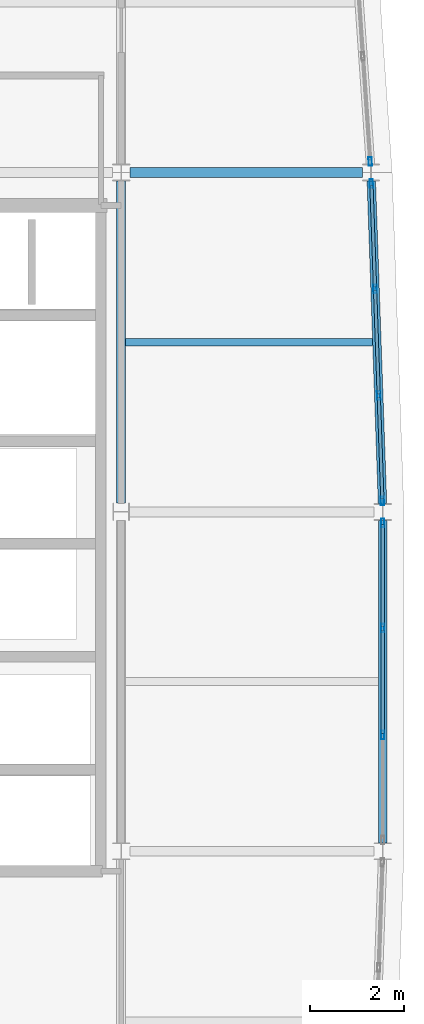
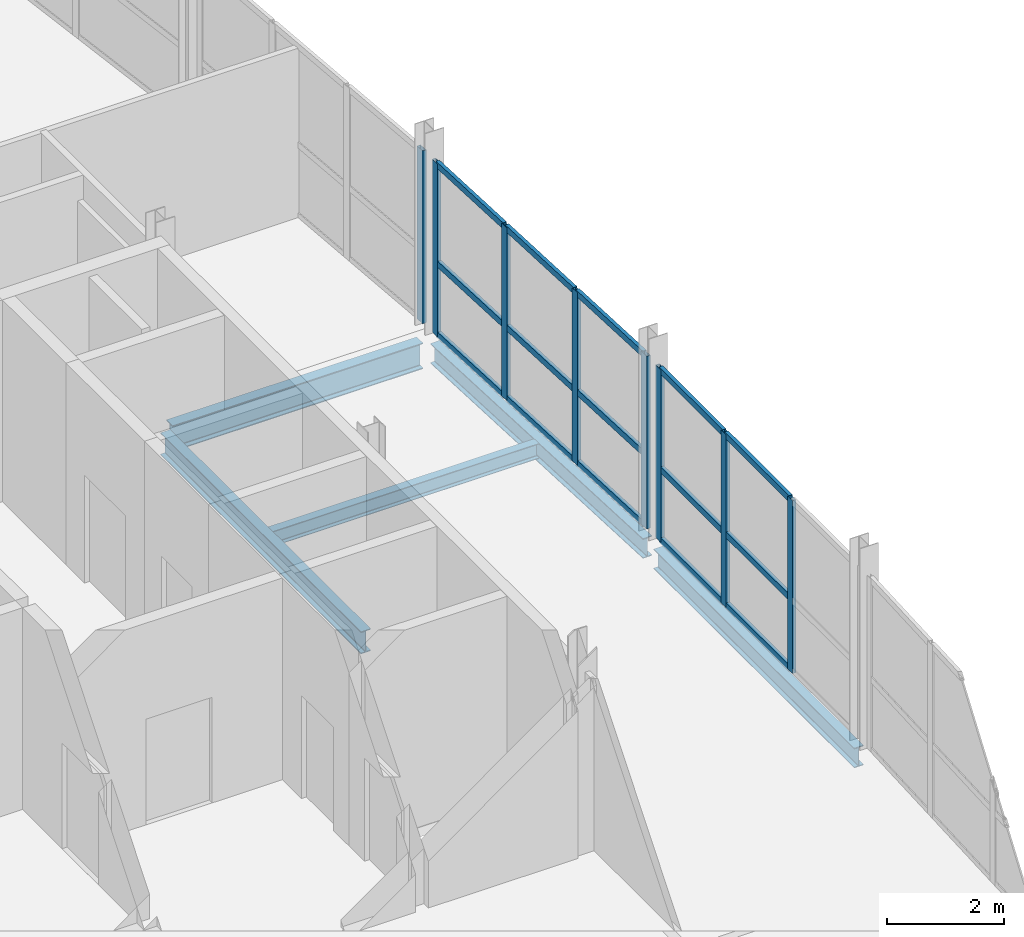
# One storey, part 4 of 17: 23 members, 5 beams, 3 elements without a shape of their own.
"""IFC4 building model written with IfcOpenShell, lengths in metres."""

import ifcopenshell
import ifcopenshell.guid

model = None  # the IFC model being written
_history = None  # IfcOwnerHistory: only IFC2X3 demands one
_inside = {}  # id of a spatial element -> (the spatial element, [elements in it])
_under = {}  # id of a project, library or spatial element -> (it, [spatial elements below it])
_declared = {}  # id of a project -> (the project, [libraries it declares])
_typed = {}  # id of a type object -> (the type object, [elements of that type])
_made_of = {}  # id of a material, layer set ... -> (it, [elements and type objects made of it])


def new_model(schema):
    """Start an empty IFC model of exactly this schema.

    Asked for "IFC4X3", IfcOpenShell would pick the latest addendum, in which some entities
    have other attributes; the version numbers below select the first issue.
    IFC2X3 requires an IfcOwnerHistory on every rooted entity: one is made here for all.
    """
    global model, _history
    if schema == "IFC4X3":
        model = ifcopenshell.file(schema_version=(4, 3, 0, 0))
    else:
        model = ifcopenshell.file(schema=schema)
    _inside.clear()
    _under.clear()
    _declared.clear()
    _typed.clear()
    _made_of.clear()
    _history = None
    if model.schema == "IFC2X3":
        org = make("IfcOrganization", Name="unknown")
        user = make(
            "IfcPersonAndOrganization",
            ThePerson=make("IfcPerson", FamilyName="unknown"),
            TheOrganization=org,
        )
        app = make(
            "IfcApplication",
            ApplicationDeveloper=org,
            Version="unknown",
            ApplicationFullName="unknown",
            ApplicationIdentifier="unknown",
        )
        _history = make(
            "IfcOwnerHistory",
            OwningUser=user,
            OwningApplication=app,
            ChangeAction="ADDED",
            CreationDate=0,
        )
    return model


def make(cls, **values):
    """One entity of the class cls with the attributes given. An attribute that is None is left unset."""
    return model.create_entity(
        cls, **{name: value for name, value in values.items() if value is not None}
    )


def rooted(cls, **values):
    """An entity with a GlobalId (a new one), such as an element, a storey or a relation."""
    return make(cls, GlobalId=ifcopenshell.guid.new(), OwnerHistory=_history, **values)


def si_unit(unit_type, name, prefix=None):
    """IfcSIUnit, for example si_unit("LENGTHUNIT", "METRE", prefix="MILLI")."""
    return make("IfcSIUnit", UnitType=unit_type, Prefix=prefix, Name=name)


def assignment(units):
    """IfcUnitAssignment: the units of a project."""
    return None if units is None else make("IfcUnitAssignment", Units=units)


def point(xyz):
    """IfcCartesianPoint."""
    return None if xyz is None else make("IfcCartesianPoint", Coordinates=xyz)


def direction(xyz):
    """IfcDirection."""
    return None if xyz is None else make("IfcDirection", DirectionRatios=xyz)


def frame(location, z_axis=None, x_axis=None):
    """IfcAxis2Placement3D, a coordinate frame: its origin and axes. An axis left out is left unset."""
    return make(
        "IfcAxis2Placement3D",
        Location=point(location),
        Axis=direction(z_axis),
        RefDirection=direction(x_axis),
    )


def frame_2d(location, x_axis=None):
    """IfcAxis2Placement2D, a coordinate frame in the plane: its origin and x axis."""
    return make(
        "IfcAxis2Placement2D", Location=point(location), RefDirection=direction(x_axis)
    )


def origin():
    """The frame at (0, 0, 0) with its axes left unset."""
    return frame((0.0, 0.0, 0.0))


def origin_2d():
    """The frame at (0, 0) in the plane with its x axis left unset."""
    return frame_2d((0.0, 0.0))


def place(relative_to, where):
    """IfcLocalPlacement: puts the frame where relative to a parent placement (None: the world)."""
    return make(
        "IfcLocalPlacement", PlacementRelTo=relative_to, RelativePlacement=where
    )


def context(
    kind, dimensions, precision=None, world=None, true_north=None, identifier=None
):
    """IfcGeometricRepresentationContext, for example the 3D "Model" context."""
    return make(
        "IfcGeometricRepresentationContext",
        ContextIdentifier=identifier,
        ContextType=kind,
        CoordinateSpaceDimension=dimensions,
        Precision=precision,
        WorldCoordinateSystem=world,
        TrueNorth=true_north,
    )


def subcontext(parent, identifier, kind, view, scale=None):
    """IfcGeometricRepresentationSubContext, for example "Body" below "Model"."""
    return make(
        "IfcGeometricRepresentationSubContext",
        ContextIdentifier=identifier,
        ContextType=kind,
        ParentContext=parent,
        TargetScale=scale,
        TargetView=view,
    )


def project(units=None, contexts=None):
    """IfcProject with its units and contexts."""
    return rooted(
        "IfcProject",
        Name="project",
        RepresentationContexts=contexts,
        UnitsInContext=assignment(units),
    )


def spatial(cls, under=None, at=None, **own):
    """A site, building, storey or space (cls), placed at a placement, below another one or the project."""
    s = rooted(cls, ObjectPlacement=at, **own)
    if under is not None:
        _under.setdefault(under.id(), (under, []))[1].append(s)
    return s


def profile(cls, at=None, kind="AREA", **sizes):
    """A parametric profile (cls). Its sizes go by their IFC names, for example OverallWidth=200.0."""
    return make(cls, ProfileType=kind, Position=at, **sizes)


def hollow_rectangle(**sizes):
    """IfcRectangleHollowProfileDef."""
    return profile("IfcRectangleHollowProfileDef", **sizes)


def i_section(**sizes):
    """IfcIShapeProfileDef."""
    return profile("IfcIShapeProfileDef", **sizes)


def extrude(swept, where, along, depth):
    """IfcExtrudedAreaSolid: the profile swept, set in the frame where, extruded along a direction by depth."""
    return make(
        "IfcExtrudedAreaSolid",
        SweptArea=swept,
        Position=where,
        ExtrudedDirection=direction(along),
        Depth=depth,
    )


def shape(context_of_items, identifier, shape_type, items):
    """IfcShapeRepresentation: the items that make up one representation, for example the "Body"."""
    return make(
        "IfcShapeRepresentation",
        ContextOfItems=context_of_items,
        RepresentationIdentifier=identifier,
        RepresentationType=shape_type,
        Items=items,
    )


def material(Name=None, Category=None):
    """IfcMaterial."""
    return make("IfcMaterial", Name=Name, Category=Category)


def layer(
    of_material, thickness, ventilated=None, Name=None, Category=None, Priority=None
):
    """IfcMaterialLayer: one layer of a wall or slab, of a material (None: an air gap)."""
    return make(
        "IfcMaterialLayer",
        Material=of_material,
        LayerThickness=thickness,
        IsVentilated=ventilated,
        Name=Name,
        Category=Category,
        Priority=Priority,
    )


def layer_set(layers, Name=None):
    """IfcMaterialLayerSet."""
    return make("IfcMaterialLayerSet", MaterialLayers=layers, LayerSetName=Name)


def material_profile(
    of_material, cross_section, Name=None, Category=None, Priority=None
):
    """IfcMaterialProfile: a cross section and its material."""
    return make(
        "IfcMaterialProfile",
        Name=Name,
        Material=of_material,
        Profile=cross_section,
        Priority=Priority,
        Category=Category,
    )


def profile_set(profiles, Name=None, composite=None):
    """IfcMaterialProfileSet."""
    return make(
        "IfcMaterialProfileSet",
        Name=Name,
        MaterialProfiles=profiles,
        CompositeProfile=composite,
    )


def made_of(thing, what):
    """Note that an element or type object is made of a material, layer set ...; save() writes the relation."""
    if what is not None:
        _made_of.setdefault(what.id(), (what, []))[1].append(thing)
    return thing


def type_object(cls, material=None, **own):
    """A type object (cls), such as IfcWallType, which elements share."""
    return made_of(rooted(cls, **own), material)


def element(
    cls,
    number,
    at=None,
    inside=None,
    cuts=None,
    type_object=None,
    material=None,
    context=None,
    identifier="Body",
    shape_type=None,
    held_by="IfcProductDefinitionShape",
    body=None,
    shapes=None,
    **own,
):
    """One element of the class cls, such as IfcWall. Its Tag is "e" and its number.

    at: its placement. inside: the storey or other place that contains it. cuts: it is an
    opening in that element (IfcRelVoidsElement). A single representation is given by context,
    identifier, shape_type and body (its items); several are given by shapes. held_by: the class
    of the entity that holds the representations. save() writes the other relations.
    """
    e = rooted(cls, Tag="e%d" % number, ObjectPlacement=at, **own)
    if body is not None:
        shapes = [shape(context, identifier, shape_type, body)]
    if shapes is not None:
        e.Representation = make(held_by, Representations=shapes)
    if inside is not None:
        _inside.setdefault(inside.id(), (inside, []))[1].append(e)
    if cuts is not None:
        rooted(
            "IfcRelVoidsElement", RelatingBuildingElement=cuts, RelatedOpeningElement=e
        )
    if type_object is not None:
        _typed.setdefault(type_object.id(), (type_object, []))[1].append(e)
    return made_of(e, material)


def aggregate(whole, parts):
    """IfcRelAggregates: a whole, such as a stair, and the parts it consists of."""
    return rooted("IfcRelAggregates", RelatingObject=whole, RelatedObjects=parts)


def save(model, path):
    """Write the relations noted so far, then the file.

    IfcRelAggregates (storeys below a building ...), IfcRelContainedInSpatialStructure (elements
    in a storey), IfcRelDefinesByType, IfcRelAssociatesMaterial and IfcRelDeclares: one each for
    every whole, place, type object, material and project.
    """
    for whole, parts in _under.values():
        aggregate(whole, parts)
    for where, things in _inside.values():
        rooted(
            "IfcRelContainedInSpatialStructure",
            RelatedElements=things,
            RelatingStructure=where,
        )
    for kind, things in _typed.values():
        rooted("IfcRelDefinesByType", RelatedObjects=things, RelatingType=kind)
    for what, things in _made_of.values():
        rooted("IfcRelAssociatesMaterial", RelatedObjects=things, RelatingMaterial=what)
    for by, libraries in _declared.values():
        rooted("IfcRelDeclares", RelatingContext=by, RelatedDefinitions=libraries)
    model.write(path)


model = new_model("IFC4")

# Units and contexts
model_context = context("Model", 3, precision=1e-05, world=origin(), true_north=direction((0.0, 1.0)))
body_context = subcontext(model_context, "Body", "Model", "MODEL_VIEW")
ifc_project = project(units=[si_unit("LENGTHUNIT", "METRE"), si_unit("AREAUNIT", "SQUARE_METRE"), si_unit("VOLUMEUNIT", "CUBIC_METRE"), si_unit("PLANEANGLEUNIT", "RADIAN"), si_unit("MASSUNIT", "GRAM", prefix="KILO")], contexts=[model_context])

# Site, building, storey
site_placement = place(None, origin())
site = spatial("IfcSite", under=ifc_project, at=site_placement, CompositionType="ELEMENT")
building_placement = place(site_placement, origin())
building = spatial("IfcBuilding", under=site, at=building_placement, Name="Quillay Park Conservatory", CompositionType="ELEMENT")
storey_placement = place(building_placement, frame((0.0, 0.0, 51.89990234375)))
storey = spatial("IfcBuildingStorey", under=building, at=storey_placement, Name="L12", CompositionType="ELEMENT", Elevation=51.89990234375)

# Beam
ifc_material_1 = material(Name="Steel ASTM A992 Grade 50", Category="steel")
ifc_material_profile_1 = material_profile(ifc_material_1, i_section(OverallWidth=0.166015625, OverallDepth=0.31298828125, WebThickness=0.006591796875, FlangeThickness=0.01123046875, FilletRadius=0.010009765625, at=origin_2d()), Name="W310x45")
ifc_profile_set_1 = profile_set([ifc_material_profile_1], Name="Steel ASTM A992 Grade 50")
beam_type_1 = type_object("IfcBeamType", Name="COMPOSITE FLOOR JOIST W310 X45", PredefinedType="JOIST", material=ifc_profile_set_1)
beam_1_placement = place(storey_placement, frame((19.845947265625, 96.0, -0.3564453125), z_axis=(1.0, 0.0, 0.0), x_axis=(0.0, 1.0, 0.0)))
element("IfcBeam", 1, at=beam_1_placement, inside=storey, type_object=beam_type_1, Name="L12 beam BM-J-0869", PredefinedType="JOIST", context=body_context, shape_type="SweptSolid", body=[
    extrude(i_section(OverallWidth=0.166015625, OverallDepth=0.31298828125, WebThickness=0.006591796875, FlangeThickness=0.01123046875, FilletRadius=0.010009765625, at=origin_2d()), origin(), (0.0, 0.0, 1.0), 5.239013671875),
])

# Curtain wall, members
ifc_material_2 = material(Name="Thermally Broken Anodised Aluminium 6063-T6", Category="aluminium")
ifc_layer = layer(ifc_material_2, 0.179931640625)
ifc_layer_set = layer_set([ifc_layer], Name="UNITISED CURTAIN WALL TOWER (Thermally Broken Anodised Aluminium 6063-T6)")
curtain_wall_type = type_object("IfcCurtainWallType", Name="UNITISED CURTAIN WALL TOWER", PredefinedType="USERDEFINED", material=ifc_layer_set)
curtain_wall_1_placement = place(storey_placement, origin())
curtain_wall_1 = element("IfcCurtainWall", 2, at=curtain_wall_1_placement, inside=storey, type_object=curtain_wall_type, Name="L12 Unitised Curtain Wall 115", ObjectType="UNITISED CURTAIN WALL", PredefinedType="USERDEFINED")
ifc_material_3 = material(Name="Thermally Broken Anodised Aluminium 6063-T6", Category="aluminium")
ifc_material_profile_2 = material_profile(ifc_material_3, hollow_rectangle(XDim=0.070068359375, YDim=0.179931640625, WallThickness=0.00390625, at=origin_2d()), Name="AL70x180x4")
ifc_profile_set_2 = profile_set([ifc_material_profile_2], Name="Thermally Broken Anodised Aluminium 6063-T6")
member_type_1 = type_object("IfcMemberType", Name="CURTAIN WALL MULLION 70 X180", PredefinedType="MULLION", material=ifc_profile_set_2)
member_1_placement = place(storey_placement, frame((25.300048828125, 92.1650390625, 0.0), z_axis=(0.0, 0.0, 1.0), x_axis=(1.0, 0.0, 0.0)))
member_1 = element("IfcMember", 3, at=member_1_placement, type_object=member_type_1, Name="CW-T1 mullion 1", PredefinedType="MULLION", context=body_context, shape_type="SweptSolid", body=[
    extrude(hollow_rectangle(XDim=0.070068359375, YDim=0.179931640625, WallThickness=0.00390625, at=origin_2d()), origin(), (0.0, 0.0, 1.0), 3.59912109375),
])
member_2_placement = place(storey_placement, frame((25.300048828125, 89.933349609375, 0.0), z_axis=(0.0, 0.0, 1.0), x_axis=(1.0, 0.0, 0.0)))
member_2 = element("IfcMember", 4, at=member_2_placement, type_object=member_type_1, Name="CW-T1 mullion 2", PredefinedType="MULLION", context=body_context, shape_type="SweptSolid", body=[
    extrude(hollow_rectangle(XDim=0.070068359375, YDim=0.179931640625, WallThickness=0.00390625, at=origin_2d()), origin(), (0.0, 0.0, 1.0), 3.59912109375),
])
member_3_placement = place(storey_placement, frame((25.300048828125, 87.666748046875, 0.0), z_axis=(0.0, 0.0, 1.0), x_axis=(1.0, 0.0, 0.0)))
member_3 = element("IfcMember", 5, at=member_3_placement, type_object=member_type_1, Name="CW-T1 mullion 3", PredefinedType="MULLION", context=body_context, shape_type="SweptSolid", body=[
    extrude(hollow_rectangle(XDim=0.070068359375, YDim=0.179931640625, WallThickness=0.00390625, at=origin_2d()), origin(), (0.0, 0.0, 1.0), 3.59912109375),
])

curtain_wall_2_placement = place(storey_placement, origin())
curtain_wall_2 = element("IfcCurtainWall", 6, at=curtain_wall_2_placement, inside=storey, type_object=curtain_wall_type, Name="L12 Unitised Curtain Wall 116", ObjectType="UNITISED CURTAIN WALL", PredefinedType="USERDEFINED")
member_4_placement = place(storey_placement, frame((25.05810546875, 99.365234375, 0.0), z_axis=(0.0, 0.0, 1.0), x_axis=(0.999397310446, 0.034713338537, 0.0)))
member_4 = element("IfcMember", 7, at=member_4_placement, type_object=member_type_1, Name="CW-T1 mullion 1", PredefinedType="MULLION", context=body_context, shape_type="SweptSolid", body=[
    extrude(hollow_rectangle(XDim=0.070068359375, YDim=0.179931640625, WallThickness=0.00390625, at=origin_2d()), origin(), (0.0, 0.0, 1.0), 3.59912109375),
])
member_5_placement = place(storey_placement, frame((25.1357421875, 97.13330078125, 0.0), z_axis=(0.0, 0.0, 1.0), x_axis=(0.999397310446, 0.034713338537, 0.0)))
member_5 = element("IfcMember", 8, at=member_5_placement, type_object=member_type_1, Name="CW-T1 mullion 2", PredefinedType="MULLION", context=body_context, shape_type="SweptSolid", body=[
    extrude(hollow_rectangle(XDim=0.070068359375, YDim=0.179931640625, WallThickness=0.00390625, at=origin_2d()), origin(), (0.0, 0.0, 1.0), 3.59912109375),
])
member_6_placement = place(storey_placement, frame((25.21435546875, 94.86669921875, 0.0), z_axis=(0.0, 0.0, 1.0), x_axis=(0.999397310446, 0.034713338537, 0.0)))
member_6 = element("IfcMember", 9, at=member_6_placement, type_object=member_type_1, Name="CW-T1 mullion 3", PredefinedType="MULLION", context=body_context, shape_type="SweptSolid", body=[
    extrude(hollow_rectangle(XDim=0.070068359375, YDim=0.179931640625, WallThickness=0.00390625, at=origin_2d()), origin(), (0.0, 0.0, 1.0), 3.59912109375),
])
member_7_placement = place(storey_placement, frame((25.2919921875, 92.634765625, 0.0), z_axis=(0.0, 0.0, 1.0), x_axis=(0.999397310446, 0.034713338537, 0.0)))
member_7 = element("IfcMember", 10, at=member_7_placement, type_object=member_type_1, Name="CW-T1 mullion 4", PredefinedType="MULLION", context=body_context, shape_type="SweptSolid", body=[
    extrude(hollow_rectangle(XDim=0.070068359375, YDim=0.179931640625, WallThickness=0.00390625, at=origin_2d()), origin(), (0.0, 0.0, 1.0), 3.59912109375),
])

# Curtain wall, member
curtain_wall_3_placement = place(storey_placement, origin())
curtain_wall_3 = element("IfcCurtainWall", 11, at=curtain_wall_3_placement, inside=storey, type_object=curtain_wall_type, Name="L12 Unitised Curtain Wall 117", ObjectType="UNITISED CURTAIN WALL", PredefinedType="USERDEFINED")
member_8_placement = place(storey_placement, frame((25.03369140625, 99.83447265625, 0.0), z_axis=(0.0, 0.0, 1.0), x_axis=(0.99759835015, 0.069264217159, 0.0)))
member_8 = element("IfcMember", 12, at=member_8_placement, type_object=member_type_1, Name="CW-T1 mullion 4", PredefinedType="MULLION", context=body_context, shape_type="SweptSolid", body=[
    extrude(hollow_rectangle(XDim=0.070068359375, YDim=0.179931640625, WallThickness=0.00390625, at=origin_2d()), origin(), (0.0, 0.0, 1.0), 3.59912109375),
])
aggregate(curtain_wall_3, [member_8])

# Member
ifc_material_4 = material(Name="Thermally Broken Anodised Aluminium 6063-T6", Category="aluminium")
ifc_material_profile_3 = material_profile(ifc_material_4, hollow_rectangle(XDim=0.070068359375, YDim=0.1298828125, WallThickness=0.003173828125, at=origin_2d()), Name="AL70x130x3.2")
ifc_profile_set_3 = profile_set([ifc_material_profile_3], Name="Thermally Broken Anodised Aluminium 6063-T6")
member_type_2 = type_object("IfcMemberType", Name="CURTAIN WALL TRANSOM 70 X130", PredefinedType="USERDEFINED", material=ifc_profile_set_3)
member_9_placement = place(storey_placement, frame((25.300048828125, 92.1298828125, 0.03515625), z_axis=(0.0, -1.0, 0.0), x_axis=(1.0, 0.0, 0.0)))
member_9 = element("IfcMember", 13, at=member_9_placement, type_object=member_type_2, Name="CW-T1 transom 1.1", ObjectType="TRANSOM", PredefinedType="USERDEFINED", context=body_context, shape_type="SweptSolid", body=[
    extrude(hollow_rectangle(XDim=0.070068359375, YDim=0.1298828125, WallThickness=0.003173828125, at=origin_2d()), origin(), (0.0, 0.0, 1.0), 2.16162109375),
])

member_10_placement = place(storey_placement, frame((25.300048828125, 92.1298828125, 1.51171875), z_axis=(0.0, -1.0, 0.0), x_axis=(1.0, 0.0, 0.0)))
member_10 = element("IfcMember", 14, at=member_10_placement, type_object=member_type_2, Name="CW-T1 transom 1.2", ObjectType="TRANSOM", PredefinedType="USERDEFINED", context=body_context, shape_type="SweptSolid", body=[
    extrude(hollow_rectangle(XDim=0.070068359375, YDim=0.1298828125, WallThickness=0.003173828125, at=origin_2d()), origin(), (0.0, 0.0, 1.0), 2.16162109375),
])

member_11_placement = place(storey_placement, frame((25.300048828125, 92.1298828125, 3.564208984375), z_axis=(0.0, -1.0, 0.0), x_axis=(1.0, 0.0, 0.0)))
member_11 = element("IfcMember", 15, at=member_11_placement, type_object=member_type_2, Name="CW-T1 transom 1.3", ObjectType="TRANSOM", PredefinedType="USERDEFINED", context=body_context, shape_type="SweptSolid", body=[
    extrude(hollow_rectangle(XDim=0.070068359375, YDim=0.1298828125, WallThickness=0.003173828125, at=origin_2d()), origin(), (0.0, 0.0, 1.0), 2.16162109375),
])

member_12_placement = place(storey_placement, frame((25.300048828125, 89.8984375, 0.03515625), z_axis=(0.0, -1.0, 0.0), x_axis=(1.0, 0.0, 0.0)))
member_12 = element("IfcMember", 16, at=member_12_placement, type_object=member_type_2, Name="CW-T1 transom 2.1", ObjectType="TRANSOM", PredefinedType="USERDEFINED", context=body_context, shape_type="SweptSolid", body=[
    extrude(hollow_rectangle(XDim=0.070068359375, YDim=0.1298828125, WallThickness=0.003173828125, at=origin_2d()), origin(), (0.0, 0.0, 1.0), 2.19677734375),
])

member_13_placement = place(storey_placement, frame((25.300048828125, 89.8984375, 1.51171875), z_axis=(0.0, -1.0, 0.0), x_axis=(1.0, 0.0, 0.0)))
member_13 = element("IfcMember", 17, at=member_13_placement, type_object=member_type_2, Name="CW-T1 transom 2.2", ObjectType="TRANSOM", PredefinedType="USERDEFINED", context=body_context, shape_type="SweptSolid", body=[
    extrude(hollow_rectangle(XDim=0.070068359375, YDim=0.1298828125, WallThickness=0.003173828125, at=origin_2d()), origin(), (0.0, 0.0, 1.0), 2.19677734375),
])

member_14_placement = place(storey_placement, frame((25.300048828125, 89.8984375, 3.564208984375), z_axis=(0.0, -1.0, 0.0), x_axis=(1.0, 0.0, 0.0)))
member_14 = element("IfcMember", 18, at=member_14_placement, type_object=member_type_2, Name="CW-T1 transom 2.3", ObjectType="TRANSOM", PredefinedType="USERDEFINED", context=body_context, shape_type="SweptSolid", body=[
    extrude(hollow_rectangle(XDim=0.070068359375, YDim=0.1298828125, WallThickness=0.003173828125, at=origin_2d()), origin(), (0.0, 0.0, 1.0), 2.19677734375),
])

aggregate(curtain_wall_1, [member_1, member_2, member_3, member_9, member_10, member_11, member_12, member_13, member_14])

member_15_placement = place(storey_placement, frame((25.059326171875, 99.330078125, 0.03515625), z_axis=(0.034765508592, -0.999395496994, 0.0), x_axis=(0.999395496994, 0.034765508592, 0.0)))
member_15 = element("IfcMember", 19, at=member_15_placement, type_object=member_type_2, Name="CW-T1 transom 1.1", ObjectType="TRANSOM", PredefinedType="USERDEFINED", context=body_context, shape_type="SweptSolid", body=[
    extrude(hollow_rectangle(XDim=0.070068359375, YDim=0.1298828125, WallThickness=0.003173828125, at=origin_2d()), origin(), (0.0, 0.0, 1.0), 2.162841796875),
])

member_16_placement = place(storey_placement, frame((25.059326171875, 99.330078125, 1.51171875), z_axis=(0.034765508592, -0.999395496994, 0.0), x_axis=(0.999395496994, 0.034765508592, 0.0)))
member_16 = element("IfcMember", 20, at=member_16_placement, type_object=member_type_2, Name="CW-T1 transom 1.2", ObjectType="TRANSOM", PredefinedType="USERDEFINED", context=body_context, shape_type="SweptSolid", body=[
    extrude(hollow_rectangle(XDim=0.070068359375, YDim=0.1298828125, WallThickness=0.003173828125, at=origin_2d()), origin(), (0.0, 0.0, 1.0), 2.162841796875),
])

member_17_placement = place(storey_placement, frame((25.059326171875, 99.330078125, 3.564208984375), z_axis=(0.034765508592, -0.999395496994, 0.0), x_axis=(0.999395496994, 0.034765508592, 0.0)))
member_17 = element("IfcMember", 21, at=member_17_placement, type_object=member_type_2, Name="CW-T1 transom 1.3", ObjectType="TRANSOM", PredefinedType="USERDEFINED", context=body_context, shape_type="SweptSolid", body=[
    extrude(hollow_rectangle(XDim=0.070068359375, YDim=0.1298828125, WallThickness=0.003173828125, at=origin_2d()), origin(), (0.0, 0.0, 1.0), 2.162841796875),
])

member_18_placement = place(storey_placement, frame((25.136962890625, 97.098388671875, 0.03515625), z_axis=(0.034653546152, -0.999399385501, 0.0), x_axis=(0.999399385501, 0.034653546152, 0.0)))
member_18 = element("IfcMember", 22, at=member_18_placement, type_object=member_type_2, Name="CW-T1 transom 2.1", ObjectType="TRANSOM", PredefinedType="USERDEFINED", context=body_context, shape_type="SweptSolid", body=[
    extrude(hollow_rectangle(XDim=0.070068359375, YDim=0.1298828125, WallThickness=0.003173828125, at=origin_2d()), origin(), (0.0, 0.0, 1.0), 2.197998046875),
])

member_19_placement = place(storey_placement, frame((25.136962890625, 97.098388671875, 1.51171875), z_axis=(0.034653546152, -0.999399385501, 0.0), x_axis=(0.999399385501, 0.034653546152, 0.0)))
member_19 = element("IfcMember", 23, at=member_19_placement, type_object=member_type_2, Name="CW-T1 transom 2.2", ObjectType="TRANSOM", PredefinedType="USERDEFINED", context=body_context, shape_type="SweptSolid", body=[
    extrude(hollow_rectangle(XDim=0.070068359375, YDim=0.1298828125, WallThickness=0.003173828125, at=origin_2d()), origin(), (0.0, 0.0, 1.0), 2.197998046875),
])

member_20_placement = place(storey_placement, frame((25.136962890625, 97.098388671875, 3.564208984375), z_axis=(0.034653546152, -0.999399385501, 0.0), x_axis=(0.999399385501, 0.034653546152, 0.0)))
member_20 = element("IfcMember", 24, at=member_20_placement, type_object=member_type_2, Name="CW-T1 transom 2.3", ObjectType="TRANSOM", PredefinedType="USERDEFINED", context=body_context, shape_type="SweptSolid", body=[
    extrude(hollow_rectangle(XDim=0.070068359375, YDim=0.1298828125, WallThickness=0.003173828125, at=origin_2d()), origin(), (0.0, 0.0, 1.0), 2.197998046875),
])

member_21_placement = place(storey_placement, frame((25.215576171875, 94.83154296875, 0.03515625), z_axis=(0.034765508592, -0.999395496994, 0.0), x_axis=(0.999395496994, 0.034765508592, 0.0)))
member_21 = element("IfcMember", 25, at=member_21_placement, type_object=member_type_2, Name="CW-T1 transom 3.1", ObjectType="TRANSOM", PredefinedType="USERDEFINED", context=body_context, shape_type="SweptSolid", body=[
    extrude(hollow_rectangle(XDim=0.070068359375, YDim=0.1298828125, WallThickness=0.003173828125, at=origin_2d()), origin(), (0.0, 0.0, 1.0), 2.162841796875),
])

member_22_placement = place(storey_placement, frame((25.215576171875, 94.83154296875, 1.51171875), z_axis=(0.034765508592, -0.999395496994, 0.0), x_axis=(0.999395496994, 0.034765508592, 0.0)))
member_22 = element("IfcMember", 26, at=member_22_placement, type_object=member_type_2, Name="CW-T1 transom 3.2", ObjectType="TRANSOM", PredefinedType="USERDEFINED", context=body_context, shape_type="SweptSolid", body=[
    extrude(hollow_rectangle(XDim=0.070068359375, YDim=0.1298828125, WallThickness=0.003173828125, at=origin_2d()), origin(), (0.0, 0.0, 1.0), 2.162841796875),
])

member_23_placement = place(storey_placement, frame((25.215576171875, 94.83154296875, 3.564208984375), z_axis=(0.034765508592, -0.999395496994, 0.0), x_axis=(0.999395496994, 0.034765508592, 0.0)))
member_23 = element("IfcMember", 27, at=member_23_placement, type_object=member_type_2, Name="CW-T1 transom 3.3", ObjectType="TRANSOM", PredefinedType="USERDEFINED", context=body_context, shape_type="SweptSolid", body=[
    extrude(hollow_rectangle(XDim=0.070068359375, YDim=0.1298828125, WallThickness=0.003173828125, at=origin_2d()), origin(), (0.0, 0.0, 1.0), 2.162841796875),
])

aggregate(curtain_wall_2, [member_4, member_5, member_6, member_7, member_15, member_16, member_17, member_18, member_19, member_20, member_21, member_22, member_23])

# Beams
ifc_material_5 = material(Name="Steel ASTM A992 Grade 50", Category="steel")
ifc_material_profile_4 = material_profile(ifc_material_5, i_section(OverallWidth=0.179931640625, OverallDepth=0.4130859375, WebThickness=0.009765625, FlangeThickness=0.01611328125, FilletRadius=0.011962890625, at=origin_2d()), Name="W410x74")
ifc_profile_set_4 = profile_set([ifc_material_profile_4], Name="Steel ASTM A992 Grade 50")
beam_type_2 = type_object("IfcBeamType", Name="PERIMETER SPANDREL BEAM W410 X74", PredefinedType="SPANDREL", material=ifc_profile_set_4)
beam_2_placement = place(storey_placement, frame((25.300048828125, 85.3779296875, -0.406494140625), z_axis=(0.0, 1.0, 0.0), x_axis=(-1.0, 0.0, 0.0)))
element("IfcBeam", 28, at=beam_2_placement, inside=storey, type_object=beam_type_2, Name="L12 beam BM-SPE-0859", PredefinedType="SPANDREL", context=body_context, shape_type="SweptSolid", body=[
    extrude(i_section(OverallWidth=0.179931640625, OverallDepth=0.4130859375, WebThickness=0.009765625, FlangeThickness=0.01611328125, FilletRadius=0.011962890625, at=origin_2d()), origin(), (0.0, 0.0, 1.0), 6.843994140625),
])
beam_3_placement = place(storey_placement, frame((25.293701171875, 92.577880859375, -0.406494140625), z_axis=(-0.034686968465, 0.999398226043, 0.0), x_axis=(-0.999398226043, -0.034686968465, 0.0)))
element("IfcBeam", 29, at=beam_3_placement, inside=storey, type_object=beam_type_2, Name="L12 beam BM-SPE-0865", PredefinedType="SPANDREL", context=body_context, shape_type="SweptSolid", body=[
    extrude(i_section(OverallWidth=0.179931640625, OverallDepth=0.4130859375, WebThickness=0.009765625, FlangeThickness=0.01611328125, FilletRadius=0.011962890625, at=origin_2d()), origin(), (0.0, 0.0, 1.0), 6.848388671875),
])
ifc_material_6 = material(Name="Steel ASTM A992 Grade 50", Category="steel")
ifc_material_profile_5 = material_profile(ifc_material_6, i_section(OverallWidth=0.19189453125, OverallDepth=0.462890625, WebThickness=0.010498046875, FlangeThickness=0.017578125, FilletRadius=0.012939453125, at=origin_2d()), Name="W460x89")
ifc_profile_set_5 = profile_set([ifc_material_profile_5], Name="Steel ASTM A992 Grade 50")
beam_type_3 = type_object("IfcBeamType", Name="PRIMARY FLOOR GIRDER W460 X89", PredefinedType="BEAM", material=ifc_profile_set_5)
beam_4_placement = place(storey_placement, frame((19.75, 92.58447265625, -0.431396484375), z_axis=(0.0, 1.0, 0.0), x_axis=(-1.0, 0.0, 0.0)))
element("IfcBeam", 30, at=beam_4_placement, inside=storey, type_object=beam_type_3, Name="L12 beam BM-GNS-0867", PredefinedType="BEAM", context=body_context, shape_type="SweptSolid", body=[
    extrude(i_section(OverallWidth=0.19189453125, OverallDepth=0.462890625, WebThickness=0.010498046875, FlangeThickness=0.017578125, FilletRadius=0.012939453125, at=origin_2d()), origin(), (0.0, 0.0, 1.0), 6.837646484375),
])
ifc_material_7 = material(Name="Steel ASTM A992 Grade 50", Category="steel")
ifc_material_profile_6 = material_profile(ifc_material_7, i_section(OverallWidth=0.2109375, OverallDepth=0.5390625, WebThickness=0.01171875, FlangeThickness=0.018798828125, FilletRadius=0.013916015625, at=origin_2d()), Name="W530x109")
ifc_profile_set_6 = profile_set([ifc_material_profile_6], Name="Steel ASTM A992 Grade 50")
beam_type_4 = type_object("IfcBeamType", Name="PRIMARY FLOOR GIRDER W530 X109", PredefinedType="BEAM", material=ifc_profile_set_6)
beam_5_placement = place(storey_placement, frame((19.9345703125, 99.60009765625, -0.469482421875), z_axis=(1.0, 0.0, 0.0), x_axis=(0.0, 1.0, 0.0)))
element("IfcBeam", 31, at=beam_5_placement, inside=storey, type_object=beam_type_4, Name="L12 beam BM-G-0838", PredefinedType="BEAM", context=body_context, shape_type="SweptSolid", body=[
    extrude(i_section(OverallWidth=0.2109375, OverallDepth=0.5390625, WebThickness=0.01171875, FlangeThickness=0.018798828125, FilletRadius=0.013916015625, at=origin_2d()), origin(), (0.0, 0.0, 1.0), 4.930908203125),
])

save(model, "model.ifc")
